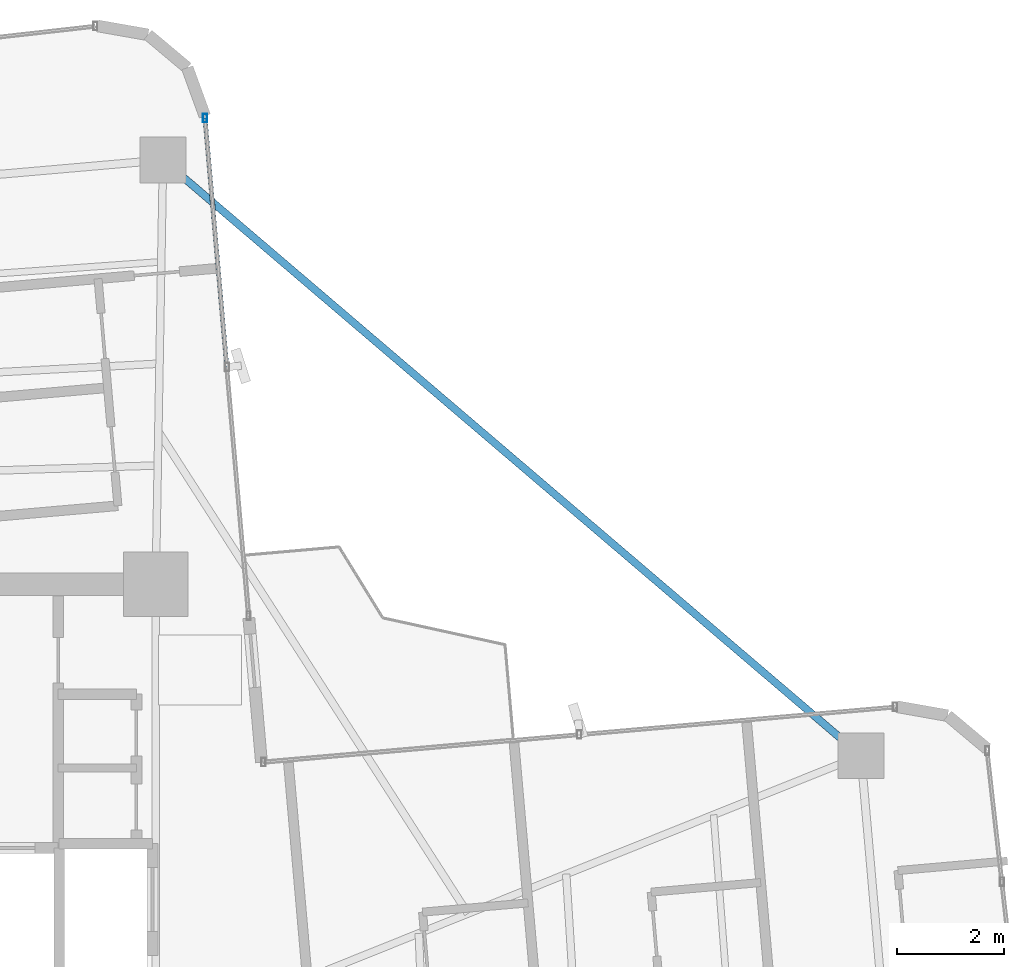
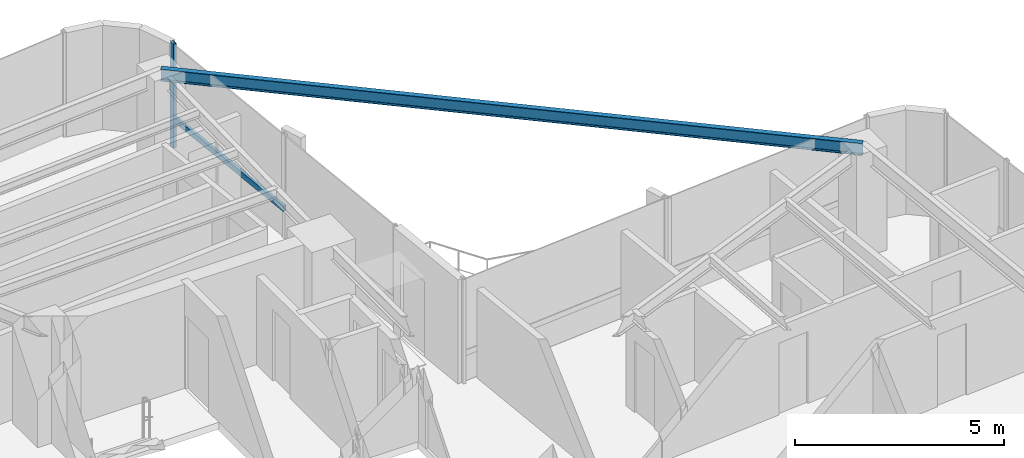
# One storey, part 17 of 24: 2 members, 1 beam, 1 element without a shape of its own.
"""IFC4 building model written with IfcOpenShell, lengths in metres."""

from ifc_helpers import new_model, si_unit, direction, frame, origin, origin_2d, place, context, subcontext, project, spatial, hollow_rectangle, i_section, extrude, source, transform, mapped, material, material_profile, profile_set, type_object, element, aggregate, save


model = new_model("IFC4")

# Units and contexts
model_context = context("Model", 3, precision=1e-05, world=origin(), true_north=direction((0.0, 1.0)))
body_context = subcontext(model_context, "Body", "Model", "MODEL_VIEW")
ifc_project = project(units=[si_unit("LENGTHUNIT", "METRE"), si_unit("AREAUNIT", "SQUARE_METRE"), si_unit("VOLUMEUNIT", "CUBIC_METRE"), si_unit("PLANEANGLEUNIT", "RADIAN"), si_unit("MASSUNIT", "GRAM", prefix="KILO")], contexts=[model_context])

# Site, building, storey
site_placement = place(None, origin())
site = spatial("IfcSite", under=ifc_project, at=site_placement, CompositionType="ELEMENT")
building_placement = place(site_placement, origin())
building = spatial("IfcBuilding", under=site, at=building_placement, Name="Sahyath Konkavel Grand Hotel", CompositionType="ELEMENT")
storey_placement = place(building_placement, frame((0.0, 0.0, 167.35009765625)))
storey = spatial("IfcBuildingStorey", under=building, at=storey_placement, Name="L46", CompositionType="ELEMENT", Elevation=167.35009765625)

# Beam
ifc_material_1 = material(Name="Steel E350", Category="steel")
ifc_material_profile_1 = material_profile(ifc_material_1, i_section(OverallWidth=0.139892578125, OverallDepth=0.35009765625, WebThickness=0.008056640625, FlangeThickness=0.01416015625, FilletRadius=0.013916015625, at=origin_2d()), Name="ISMB 350")
ifc_profile_set_1 = profile_set([ifc_material_profile_1], Name="Steel E350")
beam_type = type_object("IfcBeamType", Name="BM-ISMB350", PredefinedType="BEAM", material=ifc_profile_set_1)
shared_shape_1 = source(origin(), body_context, "Body", "SweptSolid", [
    extrude(i_section(OverallWidth=0.139892578125, OverallDepth=0.35009765625, WebThickness=0.008056640625, FlangeThickness=0.01416015625, FilletRadius=0.013916015625, at=origin_2d()), origin(), (0.0, 0.0, 1.0), 17.11279296875),
])
beam_placement = place(storey_placement, frame((16.9541015625, 7.00439453125, 2.875), z_axis=(-0.760711911164, 0.649089661151, 0.0), x_axis=(-0.649089661151, -0.760711911164, 0.0)))
element("IfcBeam", 1, at=beam_placement, inside=storey, type_object=beam_type, Name="L46 Re-Entrant Tie Beam NE", PredefinedType="BEAM", context=body_context, shape_type="MappedRepresentation", body=[
    mapped(shared_shape_1, transform((0.0, 0.0, 0.0), scale=1.0)),
])

# Curtain wall, members
ifc_material_2 = material(Name="Anodised Bronze Aluminium & Low-E Glazing", Category="aluminium")
curtain_wall_type = type_object("IfcCurtainWallType", Name="CW-ZONE3", PredefinedType="NOTDEFINED", material=ifc_material_2)
curtain_wall_placement = place(storey_placement, origin())
curtain_wall = element("IfcCurtainWall", 2, at=curtain_wall_placement, inside=storey, type_object=curtain_wall_type, Name="L46 Unitised Curtain Wall F8", PredefinedType="NOTDEFINED")
ifc_material_3 = material(Name="Anodised Bronze Aluminium", Category="aluminium")
ifc_material_profile_2 = material_profile(ifc_material_3, hollow_rectangle(XDim=0.080078125, YDim=0.159912109375, WallThickness=0.006103515625, at=origin_2d()), Name="RHS 160x80x6")
ifc_profile_set_2 = profile_set([ifc_material_profile_2], Name="Anodised Bronze Aluminium")
member_type_1 = type_object("IfcMemberType", Name="CW-MUL-160", PredefinedType="MULLION", material=ifc_profile_set_2)
shared_shape_2 = source(origin(), body_context, "Body", "SweptSolid", [
    extrude(hollow_rectangle(XDim=0.080078125, YDim=0.159912109375, WallThickness=0.006103515625, at=origin_2d()), origin(), (0.0, 0.0, 1.0), 3.0498046875),
])
member_1_placement = place(storey_placement, frame((4.72119140625, 18.893310546875, 0.0), z_axis=(0.0, 0.0, 1.0), x_axis=(1.0, 0.0, 0.0)))
member_1 = element("IfcMember", 3, at=member_1_placement, type_object=member_type_1, Name="L46 Curtain Wall Mullion F8-2", PredefinedType="MULLION", context=body_context, shape_type="MappedRepresentation", body=[
    mapped(shared_shape_2, transform((0.0, 0.0, 0.0), scale=1.0)),
])
ifc_material_profile_3 = material_profile(ifc_material_3, hollow_rectangle(XDim=0.080078125, YDim=0.159912109375, WallThickness=0.006103515625, at=origin_2d()), Name="RHS 160x80x6")
ifc_profile_set_3 = profile_set([ifc_material_profile_3], Name="Anodised Bronze Aluminium")
member_type_2 = type_object("IfcMemberType", Name="CW-TRN-160", PredefinedType="USERDEFINED", material=ifc_profile_set_3)
shared_shape_3 = source(origin(), body_context, "Body", "SweptSolid", [
    extrude(hollow_rectangle(XDim=0.080078125, YDim=0.159912109375, WallThickness=0.006103515625, at=origin_2d()), origin(), (0.0, 0.0, 1.0), 4.659912109375),
])
member_2_placement = place(storey_placement, frame((5.12744140625, 14.251220703125, 0.849853515625), z_axis=(-0.087181248758, 0.996192466276, 0.0), x_axis=(-0.996192466276, -0.087181248758, 0.0)))
member_2 = element("IfcMember", 4, at=member_2_placement, type_object=member_type_2, Name="L46 Curtain Wall Transom F8-1-spandrel", ObjectType="TRANSOM", PredefinedType="USERDEFINED", context=body_context, shape_type="MappedRepresentation", body=[
    mapped(shared_shape_3, transform((0.0, 0.0, 0.0), scale=1.0)),
])
aggregate(curtain_wall, [member_1, member_2])

save(model, "model.ifc")
